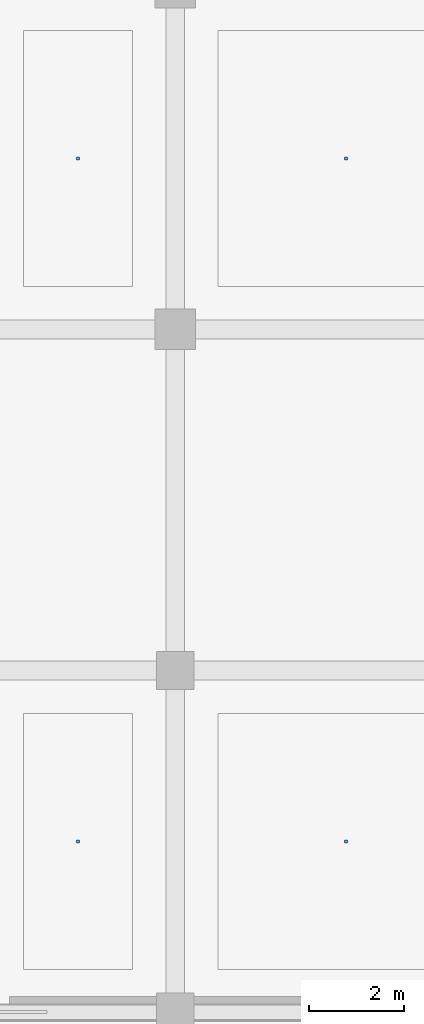
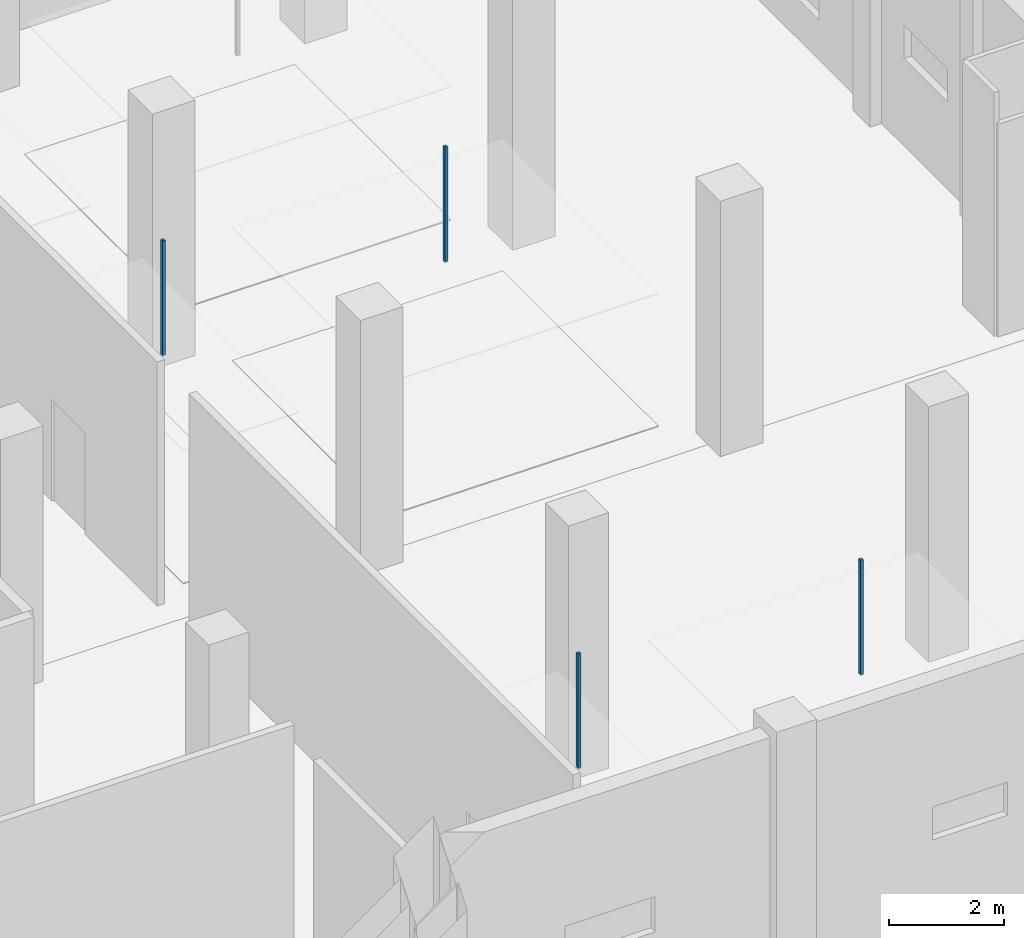
# One storey, part 79 of 90: 4 discrete accessories.
"""IFC4 building model written with IfcOpenShell, lengths in metres."""

import ifcopenshell
import ifcopenshell.guid

model = None  # the IFC model being written
_history = None  # IfcOwnerHistory: only IFC2X3 demands one
_inside = {}  # id of a spatial element -> (the spatial element, [elements in it])
_under = {}  # id of a project, library or spatial element -> (it, [spatial elements below it])
_declared = {}  # id of a project -> (the project, [libraries it declares])
_typed = {}  # id of a type object -> (the type object, [elements of that type])
_made_of = {}  # id of a material, layer set ... -> (it, [elements and type objects made of it])


def new_model(schema):
    """Start an empty IFC model of exactly this schema.

    Asked for "IFC4X3", IfcOpenShell would pick the latest addendum, in which some entities
    have other attributes; the version numbers below select the first issue.
    IFC2X3 requires an IfcOwnerHistory on every rooted entity: one is made here for all.
    """
    global model, _history
    if schema == "IFC4X3":
        model = ifcopenshell.file(schema_version=(4, 3, 0, 0))
    else:
        model = ifcopenshell.file(schema=schema)
    _inside.clear()
    _under.clear()
    _declared.clear()
    _typed.clear()
    _made_of.clear()
    _history = None
    if model.schema == "IFC2X3":
        org = make("IfcOrganization", Name="unknown")
        user = make(
            "IfcPersonAndOrganization",
            ThePerson=make("IfcPerson", FamilyName="unknown"),
            TheOrganization=org,
        )
        app = make(
            "IfcApplication",
            ApplicationDeveloper=org,
            Version="unknown",
            ApplicationFullName="unknown",
            ApplicationIdentifier="unknown",
        )
        _history = make(
            "IfcOwnerHistory",
            OwningUser=user,
            OwningApplication=app,
            ChangeAction="ADDED",
            CreationDate=0,
        )
    return model


def make(cls, **values):
    """One entity of the class cls with the attributes given. An attribute that is None is left unset."""
    return model.create_entity(
        cls, **{name: value for name, value in values.items() if value is not None}
    )


def rooted(cls, **values):
    """An entity with a GlobalId (a new one), such as an element, a storey or a relation."""
    return make(cls, GlobalId=ifcopenshell.guid.new(), OwnerHistory=_history, **values)


def si_unit(unit_type, name, prefix=None):
    """IfcSIUnit, for example si_unit("LENGTHUNIT", "METRE", prefix="MILLI")."""
    return make("IfcSIUnit", UnitType=unit_type, Prefix=prefix, Name=name)


def assignment(units):
    """IfcUnitAssignment: the units of a project."""
    return None if units is None else make("IfcUnitAssignment", Units=units)


def point(xyz):
    """IfcCartesianPoint."""
    return None if xyz is None else make("IfcCartesianPoint", Coordinates=xyz)


def direction(xyz):
    """IfcDirection."""
    return None if xyz is None else make("IfcDirection", DirectionRatios=xyz)


def frame(location, z_axis=None, x_axis=None):
    """IfcAxis2Placement3D, a coordinate frame: its origin and axes. An axis left out is left unset."""
    return make(
        "IfcAxis2Placement3D",
        Location=point(location),
        Axis=direction(z_axis),
        RefDirection=direction(x_axis),
    )


def frame_2d(location, x_axis=None):
    """IfcAxis2Placement2D, a coordinate frame in the plane: its origin and x axis."""
    return make(
        "IfcAxis2Placement2D", Location=point(location), RefDirection=direction(x_axis)
    )


def origin():
    """The frame at (0, 0, 0) with its axes left unset."""
    return frame((0.0, 0.0, 0.0))


def origin_2d():
    """The frame at (0, 0) in the plane with its x axis left unset."""
    return frame_2d((0.0, 0.0))


def place(relative_to, where):
    """IfcLocalPlacement: puts the frame where relative to a parent placement (None: the world)."""
    return make(
        "IfcLocalPlacement", PlacementRelTo=relative_to, RelativePlacement=where
    )


def context(
    kind, dimensions, precision=None, world=None, true_north=None, identifier=None
):
    """IfcGeometricRepresentationContext, for example the 3D "Model" context."""
    return make(
        "IfcGeometricRepresentationContext",
        ContextIdentifier=identifier,
        ContextType=kind,
        CoordinateSpaceDimension=dimensions,
        Precision=precision,
        WorldCoordinateSystem=world,
        TrueNorth=true_north,
    )


def subcontext(parent, identifier, kind, view, scale=None):
    """IfcGeometricRepresentationSubContext, for example "Body" below "Model"."""
    return make(
        "IfcGeometricRepresentationSubContext",
        ContextIdentifier=identifier,
        ContextType=kind,
        ParentContext=parent,
        TargetScale=scale,
        TargetView=view,
    )


def project(units=None, contexts=None):
    """IfcProject with its units and contexts."""
    return rooted(
        "IfcProject",
        Name="project",
        RepresentationContexts=contexts,
        UnitsInContext=assignment(units),
    )


def spatial(cls, under=None, at=None, **own):
    """A site, building, storey or space (cls), placed at a placement, below another one or the project."""
    s = rooted(cls, ObjectPlacement=at, **own)
    if under is not None:
        _under.setdefault(under.id(), (under, []))[1].append(s)
    return s


def profile(cls, at=None, kind="AREA", **sizes):
    """A parametric profile (cls). Its sizes go by their IFC names, for example OverallWidth=200.0."""
    return make(cls, ProfileType=kind, Position=at, **sizes)


def rectangle(**sizes):
    """IfcRectangleProfileDef."""
    return profile("IfcRectangleProfileDef", **sizes)


def extrude(swept, where, along, depth):
    """IfcExtrudedAreaSolid: the profile swept, set in the frame where, extruded along a direction by depth."""
    return make(
        "IfcExtrudedAreaSolid",
        SweptArea=swept,
        Position=where,
        ExtrudedDirection=direction(along),
        Depth=depth,
    )


def shape(context_of_items, identifier, shape_type, items):
    """IfcShapeRepresentation: the items that make up one representation, for example the "Body"."""
    return make(
        "IfcShapeRepresentation",
        ContextOfItems=context_of_items,
        RepresentationIdentifier=identifier,
        RepresentationType=shape_type,
        Items=items,
    )


def material(Name=None, Category=None):
    """IfcMaterial."""
    return make("IfcMaterial", Name=Name, Category=Category)


def made_of(thing, what):
    """Note that an element or type object is made of a material, layer set ...; save() writes the relation."""
    if what is not None:
        _made_of.setdefault(what.id(), (what, []))[1].append(thing)
    return thing


def type_object(cls, material=None, **own):
    """A type object (cls), such as IfcWallType, which elements share."""
    return made_of(rooted(cls, **own), material)


def element(
    cls,
    number,
    at=None,
    inside=None,
    cuts=None,
    type_object=None,
    material=None,
    context=None,
    identifier="Body",
    shape_type=None,
    held_by="IfcProductDefinitionShape",
    body=None,
    shapes=None,
    **own,
):
    """One element of the class cls, such as IfcWall. Its Tag is "e" and its number.

    at: its placement. inside: the storey or other place that contains it. cuts: it is an
    opening in that element (IfcRelVoidsElement). A single representation is given by context,
    identifier, shape_type and body (its items); several are given by shapes. held_by: the class
    of the entity that holds the representations. save() writes the other relations.
    """
    e = rooted(cls, Tag="e%d" % number, ObjectPlacement=at, **own)
    if body is not None:
        shapes = [shape(context, identifier, shape_type, body)]
    if shapes is not None:
        e.Representation = make(held_by, Representations=shapes)
    if inside is not None:
        _inside.setdefault(inside.id(), (inside, []))[1].append(e)
    if cuts is not None:
        rooted(
            "IfcRelVoidsElement", RelatingBuildingElement=cuts, RelatedOpeningElement=e
        )
    if type_object is not None:
        _typed.setdefault(type_object.id(), (type_object, []))[1].append(e)
    return made_of(e, material)


def aggregate(whole, parts):
    """IfcRelAggregates: a whole, such as a stair, and the parts it consists of."""
    return rooted("IfcRelAggregates", RelatingObject=whole, RelatedObjects=parts)


def save(model, path):
    """Write the relations noted so far, then the file.

    IfcRelAggregates (storeys below a building ...), IfcRelContainedInSpatialStructure (elements
    in a storey), IfcRelDefinesByType, IfcRelAssociatesMaterial and IfcRelDeclares: one each for
    every whole, place, type object, material and project.
    """
    for whole, parts in _under.values():
        aggregate(whole, parts)
    for where, things in _inside.values():
        rooted(
            "IfcRelContainedInSpatialStructure",
            RelatedElements=things,
            RelatingStructure=where,
        )
    for kind, things in _typed.values():
        rooted("IfcRelDefinesByType", RelatedObjects=things, RelatingType=kind)
    for what, things in _made_of.values():
        rooted("IfcRelAssociatesMaterial", RelatedObjects=things, RelatingMaterial=what)
    for by, libraries in _declared.values():
        rooted("IfcRelDeclares", RelatingContext=by, RelatedDefinitions=libraries)
    model.write(path)


model = new_model("IFC4")

# Units and contexts
model_context = context("Model", 3, precision=1e-05, world=origin(), true_north=direction((0.0, 1.0)))
body_context = subcontext(model_context, "Body", "Model", "MODEL_VIEW")
ifc_project = project(units=[si_unit("LENGTHUNIT", "METRE"), si_unit("AREAUNIT", "SQUARE_METRE"), si_unit("VOLUMEUNIT", "CUBIC_METRE"), si_unit("PLANEANGLEUNIT", "RADIAN"), si_unit("MASSUNIT", "GRAM", prefix="KILO")], contexts=[model_context])

# Site, building, storey
site_placement = place(None, origin())
site = spatial("IfcSite", under=ifc_project, at=site_placement, CompositionType="ELEMENT")
building_placement = place(site_placement, origin())
building = spatial("IfcBuilding", under=site, at=building_placement, Name="Kangsadwip Square Police Headquarters", CompositionType="ELEMENT")
storey_placement = place(building_placement, origin())
storey = spatial("IfcBuildingStorey", under=building, at=storey_placement, Name="L00", CompositionType="ELEMENT", Elevation=0.0)

# Discrete accessories
ifc_material = material(Name="Structural steel IS 2062 E350 (Grade 350, 350 MPa)", Category="steel")
discrete_accessory_type = type_object("IfcDiscreteAccessoryType", Name="VeilOutriggerBracket", PredefinedType="BRACKET", material=ifc_material)
for number, where, z_axis, x_axis, name in (
    (1, (149.14990234375, 39.60009765625, 2.81005859375), (0.0, 0.0, 1.0), (1.0, 0.0, 0.0), "Ceiling Suspension Hanger L00-018"),
    (2, (154.800048828125, 39.60009765625, 2.81005859375), (0.0, 0.0, 1.0), (1.0, 0.0, 0.0), "Ceiling Suspension Hanger L00-019"),
    (3, (149.14990234375, 25.199951171875, 2.81005859375), (0.0, 0.0, 1.0), (1.0, 0.0, 0.0), "Ceiling Suspension Hanger L00-033"),
    (4, (154.800048828125, 25.199951171875, 2.81005859375), (0.0, 0.0, 1.0), (1.0, 0.0, 0.0), "Ceiling Suspension Hanger L00-034"),
):
    element("IfcDiscreteAccessory", number, at=place(storey_placement, frame(where, z_axis=z_axis, x_axis=x_axis)), inside=storey, type_object=discrete_accessory_type, Name=name, PredefinedType="BRACKET", context=body_context, shape_type="SweptSolid", body=[
        extrude(rectangle(XDim=0.06005859375, YDim=0.06005859375, at=origin_2d()), origin(), (0.0, 0.0, 1.0), 2.429931640625),
    ])

save(model, "model.ifc")
